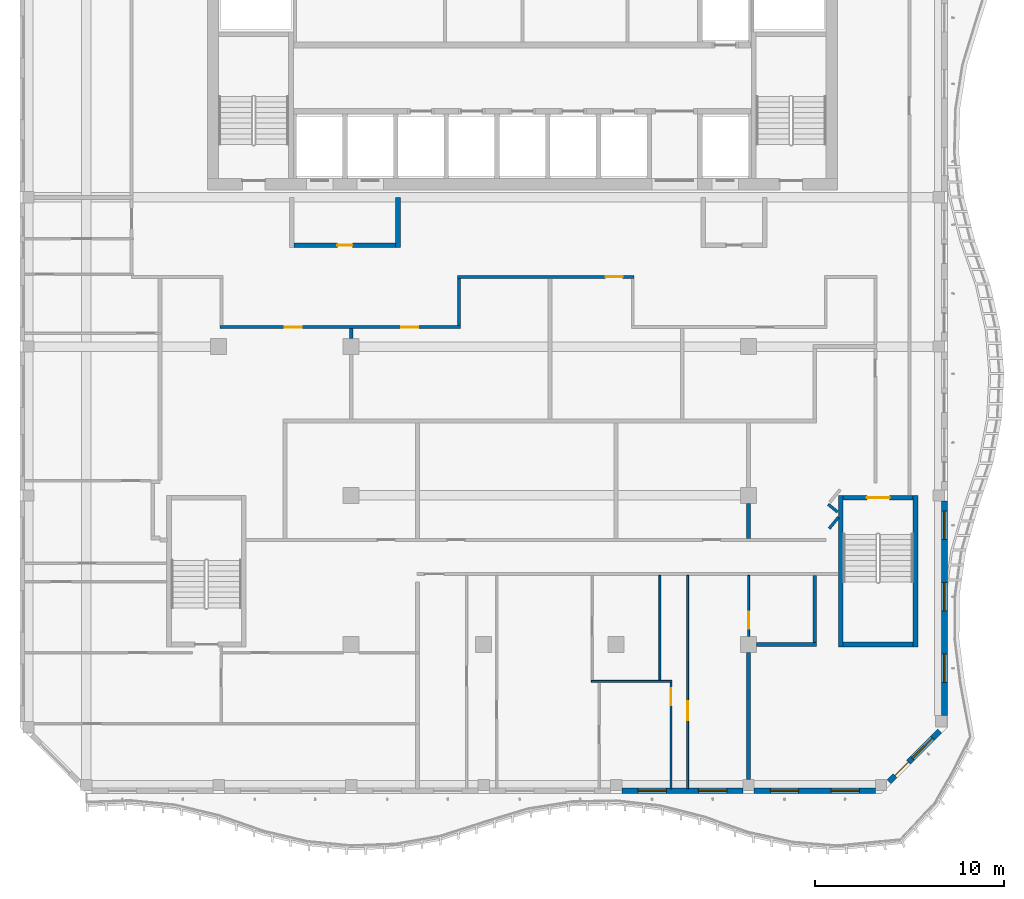
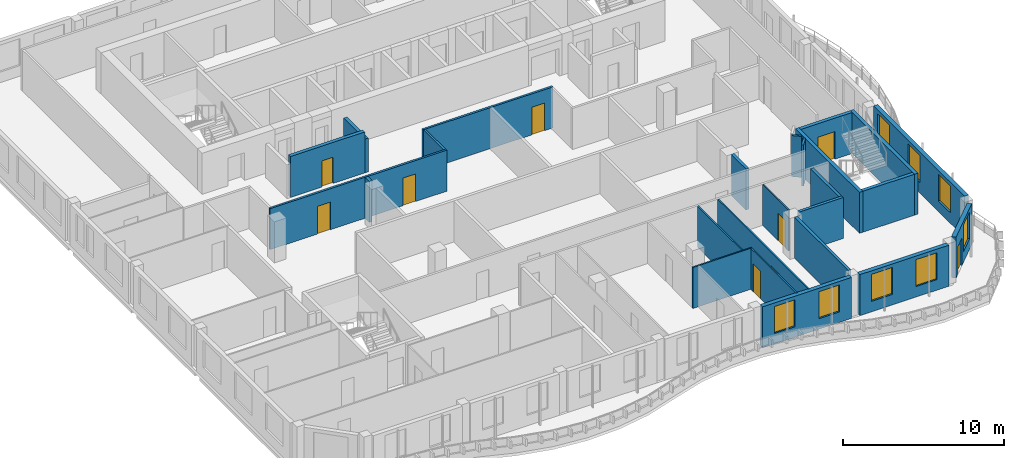
# One storey, part 4 of 18: 25 walls, 9 doors, 8 windows, 17 openings.
"""IFC4 building model written with IfcOpenShell, lengths in metres."""

import ifcopenshell
import ifcopenshell.guid

model = None  # the IFC model being written
_history = None  # IfcOwnerHistory: only IFC2X3 demands one
_inside = {}  # id of a spatial element -> (the spatial element, [elements in it])
_under = {}  # id of a project, library or spatial element -> (it, [spatial elements below it])
_declared = {}  # id of a project -> (the project, [libraries it declares])
_typed = {}  # id of a type object -> (the type object, [elements of that type])
_made_of = {}  # id of a material, layer set ... -> (it, [elements and type objects made of it])


def new_model(schema):
    """Start an empty IFC model of exactly this schema.

    Asked for "IFC4X3", IfcOpenShell would pick the latest addendum, in which some entities
    have other attributes; the version numbers below select the first issue.
    IFC2X3 requires an IfcOwnerHistory on every rooted entity: one is made here for all.
    """
    global model, _history
    if schema == "IFC4X3":
        model = ifcopenshell.file(schema_version=(4, 3, 0, 0))
    else:
        model = ifcopenshell.file(schema=schema)
    _inside.clear()
    _under.clear()
    _declared.clear()
    _typed.clear()
    _made_of.clear()
    _history = None
    if model.schema == "IFC2X3":
        org = make("IfcOrganization", Name="unknown")
        user = make(
            "IfcPersonAndOrganization",
            ThePerson=make("IfcPerson", FamilyName="unknown"),
            TheOrganization=org,
        )
        app = make(
            "IfcApplication",
            ApplicationDeveloper=org,
            Version="unknown",
            ApplicationFullName="unknown",
            ApplicationIdentifier="unknown",
        )
        _history = make(
            "IfcOwnerHistory",
            OwningUser=user,
            OwningApplication=app,
            ChangeAction="ADDED",
            CreationDate=0,
        )
    return model


def make(cls, **values):
    """One entity of the class cls with the attributes given. An attribute that is None is left unset."""
    return model.create_entity(
        cls, **{name: value for name, value in values.items() if value is not None}
    )


def rooted(cls, **values):
    """An entity with a GlobalId (a new one), such as an element, a storey or a relation."""
    return make(cls, GlobalId=ifcopenshell.guid.new(), OwnerHistory=_history, **values)


def si_unit(unit_type, name, prefix=None):
    """IfcSIUnit, for example si_unit("LENGTHUNIT", "METRE", prefix="MILLI")."""
    return make("IfcSIUnit", UnitType=unit_type, Prefix=prefix, Name=name)


def assignment(units):
    """IfcUnitAssignment: the units of a project."""
    return None if units is None else make("IfcUnitAssignment", Units=units)


def point(xyz):
    """IfcCartesianPoint."""
    return None if xyz is None else make("IfcCartesianPoint", Coordinates=xyz)


def direction(xyz):
    """IfcDirection."""
    return None if xyz is None else make("IfcDirection", DirectionRatios=xyz)


def frame(location, z_axis=None, x_axis=None):
    """IfcAxis2Placement3D, a coordinate frame: its origin and axes. An axis left out is left unset."""
    return make(
        "IfcAxis2Placement3D",
        Location=point(location),
        Axis=direction(z_axis),
        RefDirection=direction(x_axis),
    )


def frame_2d(location, x_axis=None):
    """IfcAxis2Placement2D, a coordinate frame in the plane: its origin and x axis."""
    return make(
        "IfcAxis2Placement2D", Location=point(location), RefDirection=direction(x_axis)
    )


def origin():
    """The frame at (0, 0, 0) with its axes left unset."""
    return frame((0.0, 0.0, 0.0))


def place(relative_to, where):
    """IfcLocalPlacement: puts the frame where relative to a parent placement (None: the world)."""
    return make(
        "IfcLocalPlacement", PlacementRelTo=relative_to, RelativePlacement=where
    )


def context(
    kind, dimensions, precision=None, world=None, true_north=None, identifier=None
):
    """IfcGeometricRepresentationContext, for example the 3D "Model" context."""
    return make(
        "IfcGeometricRepresentationContext",
        ContextIdentifier=identifier,
        ContextType=kind,
        CoordinateSpaceDimension=dimensions,
        Precision=precision,
        WorldCoordinateSystem=world,
        TrueNorth=true_north,
    )


def subcontext(parent, identifier, kind, view, scale=None):
    """IfcGeometricRepresentationSubContext, for example "Body" below "Model"."""
    return make(
        "IfcGeometricRepresentationSubContext",
        ContextIdentifier=identifier,
        ContextType=kind,
        ParentContext=parent,
        TargetScale=scale,
        TargetView=view,
    )


def project(units=None, contexts=None):
    """IfcProject with its units and contexts."""
    return rooted(
        "IfcProject",
        Name="project",
        RepresentationContexts=contexts,
        UnitsInContext=assignment(units),
    )


def spatial(cls, under=None, at=None, **own):
    """A site, building, storey or space (cls), placed at a placement, below another one or the project."""
    s = rooted(cls, ObjectPlacement=at, **own)
    if under is not None:
        _under.setdefault(under.id(), (under, []))[1].append(s)
    return s


def profile(cls, at=None, kind="AREA", **sizes):
    """A parametric profile (cls). Its sizes go by their IFC names, for example OverallWidth=200.0."""
    return make(cls, ProfileType=kind, Position=at, **sizes)


def rectangle(**sizes):
    """IfcRectangleProfileDef."""
    return profile("IfcRectangleProfileDef", **sizes)


def extrude(swept, where, along, depth):
    """IfcExtrudedAreaSolid: the profile swept, set in the frame where, extruded along a direction by depth."""
    return make(
        "IfcExtrudedAreaSolid",
        SweptArea=swept,
        Position=where,
        ExtrudedDirection=direction(along),
        Depth=depth,
    )


def shape(context_of_items, identifier, shape_type, items):
    """IfcShapeRepresentation: the items that make up one representation, for example the "Body"."""
    return make(
        "IfcShapeRepresentation",
        ContextOfItems=context_of_items,
        RepresentationIdentifier=identifier,
        RepresentationType=shape_type,
        Items=items,
    )


def source(mapping_origin, context_of_items, identifier, shape_type, items):
    """IfcRepresentationMap: a shape defined once, which mapped items show again and again."""
    return make(
        "IfcRepresentationMap",
        MappingOrigin=mapping_origin,
        MappedRepresentation=shape(context_of_items, identifier, shape_type, items),
    )


def transform(
    local_origin,
    x_axis=None,
    y_axis=None,
    z_axis=None,
    scale=None,
    scale2=None,
    scale3=None,
    uniform=True,
):
    """IfcCartesianTransformationOperator3D, or its non-uniform kind. x_axis, y_axis, z_axis: its Axis1, 2, 3."""
    if uniform:
        return make(
            "IfcCartesianTransformationOperator3D",
            Axis1=direction(x_axis),
            Axis2=direction(y_axis),
            LocalOrigin=point(local_origin),
            Scale=scale,
            Axis3=direction(z_axis),
        )
    return make(
        "IfcCartesianTransformationOperator3DnonUniform",
        Axis1=direction(x_axis),
        Axis2=direction(y_axis),
        LocalOrigin=point(local_origin),
        Scale=scale,
        Axis3=direction(z_axis),
        Scale2=scale2,
        Scale3=scale3,
    )


def mapped(mapping_source, mapping_target):
    """IfcMappedItem: shows the shape of a source again, moved by a transform."""
    return make(
        "IfcMappedItem", MappingSource=mapping_source, MappingTarget=mapping_target
    )


def material(Name=None, Category=None):
    """IfcMaterial."""
    return make("IfcMaterial", Name=Name, Category=Category)


def layer(
    of_material, thickness, ventilated=None, Name=None, Category=None, Priority=None
):
    """IfcMaterialLayer: one layer of a wall or slab, of a material (None: an air gap)."""
    return make(
        "IfcMaterialLayer",
        Material=of_material,
        LayerThickness=thickness,
        IsVentilated=ventilated,
        Name=Name,
        Category=Category,
        Priority=Priority,
    )


def layer_set(layers, Name=None):
    """IfcMaterialLayerSet."""
    return make("IfcMaterialLayerSet", MaterialLayers=layers, LayerSetName=Name)


def made_of(thing, what):
    """Note that an element or type object is made of a material, layer set ...; save() writes the relation."""
    if what is not None:
        _made_of.setdefault(what.id(), (what, []))[1].append(thing)
    return thing


def type_object(cls, material=None, **own):
    """A type object (cls), such as IfcWallType, which elements share."""
    return made_of(rooted(cls, **own), material)


def element(
    cls,
    number,
    at=None,
    inside=None,
    cuts=None,
    type_object=None,
    material=None,
    context=None,
    identifier="Body",
    shape_type=None,
    held_by="IfcProductDefinitionShape",
    body=None,
    shapes=None,
    **own,
):
    """One element of the class cls, such as IfcWall. Its Tag is "e" and its number.

    at: its placement. inside: the storey or other place that contains it. cuts: it is an
    opening in that element (IfcRelVoidsElement). A single representation is given by context,
    identifier, shape_type and body (its items); several are given by shapes. held_by: the class
    of the entity that holds the representations. save() writes the other relations.
    """
    e = rooted(cls, Tag="e%d" % number, ObjectPlacement=at, **own)
    if body is not None:
        shapes = [shape(context, identifier, shape_type, body)]
    if shapes is not None:
        e.Representation = make(held_by, Representations=shapes)
    if inside is not None:
        _inside.setdefault(inside.id(), (inside, []))[1].append(e)
    if cuts is not None:
        rooted(
            "IfcRelVoidsElement", RelatingBuildingElement=cuts, RelatedOpeningElement=e
        )
    if type_object is not None:
        _typed.setdefault(type_object.id(), (type_object, []))[1].append(e)
    return made_of(e, material)


def fill(opening, filler):
    """IfcRelFillsElement: the door or window that sits in an opening."""
    return rooted(
        "IfcRelFillsElement",
        RelatingOpeningElement=opening,
        RelatedBuildingElement=filler,
    )


def aggregate(whole, parts):
    """IfcRelAggregates: a whole, such as a stair, and the parts it consists of."""
    return rooted("IfcRelAggregates", RelatingObject=whole, RelatedObjects=parts)


def save(model, path):
    """Write the relations noted so far, then the file.

    IfcRelAggregates (storeys below a building ...), IfcRelContainedInSpatialStructure (elements
    in a storey), IfcRelDefinesByType, IfcRelAssociatesMaterial and IfcRelDeclares: one each for
    every whole, place, type object, material and project.
    """
    for whole, parts in _under.values():
        aggregate(whole, parts)
    for where, things in _inside.values():
        rooted(
            "IfcRelContainedInSpatialStructure",
            RelatedElements=things,
            RelatingStructure=where,
        )
    for kind, things in _typed.values():
        rooted("IfcRelDefinesByType", RelatedObjects=things, RelatingType=kind)
    for what, things in _made_of.values():
        rooted("IfcRelAssociatesMaterial", RelatedObjects=things, RelatingMaterial=what)
    for by, libraries in _declared.values():
        rooted("IfcRelDeclares", RelatingContext=by, RelatedDefinitions=libraries)
    model.write(path)


model = new_model("IFC4")

# Units and contexts
model_context = context("Model", 3, precision=1e-05, world=origin(), true_north=direction((0.0, 1.0)))
body_context = subcontext(model_context, "Body", "Model", "MODEL_VIEW")
ifc_project = project(units=[si_unit("LENGTHUNIT", "METRE"), si_unit("AREAUNIT", "SQUARE_METRE"), si_unit("VOLUMEUNIT", "CUBIC_METRE"), si_unit("PLANEANGLEUNIT", "RADIAN"), si_unit("MASSUNIT", "GRAM", prefix="KILO")], contexts=[model_context])

# Site, building, storey
site_placement = place(None, origin())
site = spatial("IfcSite", under=ifc_project, at=site_placement, CompositionType="ELEMENT")
building_placement = place(site_placement, origin())
building = spatial("IfcBuilding", under=site, at=building_placement, Name="Kilnfold Tower and Market Hall", CompositionType="ELEMENT")
storey_placement = place(building_placement, frame((0.0, 0.0, 312.0)))
storey = spatial("IfcBuildingStorey", under=building, at=storey_placement, Name="L78", CompositionType="ELEMENT", Elevation=312.0)

# Wall, openings, doors
ifc_material_1 = material(Name="Gypsum board on steel studs", Category="steel")
ifc_layer_1 = layer(ifc_material_1, 0.14990234375)
ifc_layer_set_1 = layer_set([ifc_layer_1], Name="Gypsum board on steel studs")
wall_type_1 = type_object("IfcWallType", Name="WALL CORRIDOR 150", PredefinedType="PARTITIONING", material=ifc_layer_set_1)
wall_1_placement = place(storey_placement, frame((-14.93505859375, 1.14990234375, 0.0), z_axis=(0.0, 0.0, 1.0), x_axis=(1.0, 0.0, 0.0)))
wall_1 = element("IfcWall", 1, at=wall_1_placement, inside=storey, type_object=wall_type_1, Name="Partition LY46.10", PredefinedType="PARTITIONING", context=body_context, shape_type="SweptSolid", body=[
    extrude(rectangle(XDim=12.7099609375, YDim=0.14990234375, at=frame_2d((6.35498046875, 0.0))), origin(), (0.0, 0.0, 1.0), 3.1201171875),
])
opening_1_placement = place(wall_1_placement, frame((3.426025390625, 0.0, 0.0)))
opening_1 = element("IfcOpeningElement", 2, at=opening_1_placement, cuts=wall_1, Name="Opening D2", PredefinedType="OPENING", context=body_context, shape_type="SweptSolid", body=[
    extrude(rectangle(XDim=0.89990234375, YDim=2.10009765625, at=frame_2d((0.449951171875, 1.050048828125))), frame((0.0, 0.0849609375, 0.0), z_axis=(0.0, -1.0, 0.0), x_axis=(1.0, 0.0, 0.0)), (0.0, 0.0, 1.0), 0.169921875),
])
opening_2_placement = place(wall_1_placement, frame((9.571044921875, 0.0, 0.0)))
opening_2 = element("IfcOpeningElement", 3, at=opening_2_placement, cuts=wall_1, Name="Opening D2", PredefinedType="OPENING", context=body_context, shape_type="SweptSolid", body=[
    extrude(rectangle(XDim=0.89990234375, YDim=2.10009765625, at=frame_2d((0.449951171875, 1.050048828125))), frame((0.0, 0.0849609375, 0.0), z_axis=(0.0, -1.0, 0.0), x_axis=(1.0, 0.0, 0.0)), (0.0, 0.0, 1.0), 0.169921875),
])
ifc_material_2 = material(Name="Timber veneer door leaf in steel frame", Category="steel")
door_type_1 = type_object("IfcDoorType", Name="DOOR ROOM 900 X2100", OperationType="NOTDEFINED", PredefinedType="DOOR", material=ifc_material_2)
door_1_placement = place(opening_1_placement, origin())
door_1 = element("IfcDoor", 4, at=door_1_placement, inside=storey, type_object=door_type_1, Name="Door D2", OperationType="SINGLE_SWING_LEFT", OverallHeight=2.10009765625, OverallWidth=0.89990234375, PredefinedType="DOOR", context=body_context, shape_type="SweptSolid", body=[
    extrude(rectangle(XDim=0.89990234375, YDim=2.10009765625, at=frame_2d((0.449951171875, 1.050048828125))), frame((0.0, 0.02490234375, 0.0), z_axis=(0.0, -1.0, 0.0), x_axis=(1.0, 0.0, 0.0)), (0.0, 0.0, 1.0), 0.050048828125),
])
fill(opening_1, door_1)
door_2_placement = place(opening_2_placement, origin())
door_2 = element("IfcDoor", 5, at=door_2_placement, inside=storey, type_object=door_type_1, Name="Door D2", OperationType="SINGLE_SWING_LEFT", OverallHeight=2.10009765625, OverallWidth=0.89990234375, PredefinedType="DOOR", context=body_context, shape_type="SweptSolid", body=[
    extrude(rectangle(XDim=0.89990234375, YDim=2.10009765625, at=frame_2d((0.449951171875, 1.050048828125))), frame((0.0, 0.02490234375, 0.0), z_axis=(0.0, -1.0, 0.0), x_axis=(1.0, 0.0, 0.0)), (0.0, 0.0, 1.0), 0.050048828125),
])
fill(opening_2, door_2)

# Wall, opening, door
wall_2_placement = place(storey_placement, frame((-2.375, 3.800048828125, 0.0), z_axis=(0.0, 0.0, 1.0), x_axis=(1.0, 0.0, 0.0)))
wall_2 = element("IfcWall", 6, at=wall_2_placement, inside=storey, type_object=wall_type_1, Name="Partition LY46.13", PredefinedType="PARTITIONING", context=body_context, shape_type="SweptSolid", body=[
    extrude(rectangle(XDim=9.330078125, YDim=0.14990234375, at=frame_2d((4.6650390625, 0.0))), origin(), (0.0, 0.0, 1.0), 3.1201171875),
])
opening_3_placement = place(wall_2_placement, frame((7.822021484375, 0.0, 0.0)))
opening_3 = element("IfcOpeningElement", 7, at=opening_3_placement, cuts=wall_2, Name="Opening D2", PredefinedType="OPENING", context=body_context, shape_type="SweptSolid", body=[
    extrude(rectangle(XDim=0.89990234375, YDim=2.10009765625, at=frame_2d((0.449951171875, 1.050048828125))), frame((0.0, 0.0849609375, 0.0), z_axis=(0.0, -1.0, 0.0), x_axis=(1.0, 0.0, 0.0)), (0.0, 0.0, 1.0), 0.169921875),
])
door_3_placement = place(opening_3_placement, origin())
door_3 = element("IfcDoor", 8, at=door_3_placement, inside=storey, type_object=door_type_1, Name="Door D2", OperationType="SINGLE_SWING_RIGHT", OverallHeight=2.10009765625, OverallWidth=0.89990234375, PredefinedType="DOOR", context=body_context, shape_type="SweptSolid", body=[
    extrude(rectangle(XDim=0.89990234375, YDim=2.10009765625, at=frame_2d((0.449951171875, 1.050048828125))), frame((0.0, 0.02490234375, 0.0), z_axis=(0.0, -1.0, 0.0), x_axis=(1.0, 0.0, 0.0)), (0.0, 0.0, 1.0), 0.050048828125),
])
fill(opening_3, door_3)

# Walls
wall_3_placement = place(storey_placement, frame((-2.300048828125, 1.22509765625, 0.0), z_axis=(0.0, 0.0, 1.0), x_axis=(0.0, 1.0, 0.0)))
element("IfcWall", 9, at=wall_3_placement, inside=storey, type_object=wall_type_1, Name="Partition LY46.14", PredefinedType="PARTITIONING", context=body_context, shape_type="SweptSolid", body=[
    extrude(rectangle(XDim=2.5, YDim=0.14990234375, at=frame_2d((1.25, 0.0))), origin(), (0.0, 0.0, 1.0), 3.1201171875),
])
wall_4_placement = place(storey_placement, frame((17.748046875, -8.902099609375, 0.0), z_axis=(0.0, 0.0, 1.0), x_axis=(-0.630342797145, -0.776316918589, 0.0)))
element("IfcWall", 10, at=wall_4_placement, inside=storey, type_object=wall_type_1, Name="Partition LY46.17", PredefinedType="PARTITIONING", context=body_context, shape_type="SweptSolid", body=[
    extrude(rectangle(XDim=0.772705078125, YDim=0.14990234375, at=frame_2d((0.38623046875, 0.0))), origin(), (0.0, 0.0, 1.0), 3.1201171875),
])
wall_5_placement = place(storey_placement, frame((17.2060546875, -8.218017578125, 0.0), z_axis=(0.0, 0.0, 1.0), x_axis=(0.776102288291, -0.630607039376, 0.0)))
element("IfcWall", 11, at=wall_5_placement, inside=storey, type_object=wall_type_1, Name="Partition LY46.18", PredefinedType="PARTITIONING", context=body_context, shape_type="SweptSolid", body=[
    extrude(rectangle(XDim=0.6376953125, YDim=0.14990234375, at=frame_2d((0.31884765625, 0.0))), origin(), (0.0, 0.0, 1.0), 3.1201171875),
])
ifc_material_3 = material(Name="Gypsum board on steel studs", Category="steel")
ifc_layer_2 = layer(ifc_material_3, 0.10009765625)
ifc_layer_set_2 = layer_set([ifc_layer_2], Name="Gypsum board on steel studs")
wall_type_2 = type_object("IfcWallType", Name="WALL PARTITION 100", PredefinedType="PARTITIONING", material=ifc_layer_set_2)
wall_6_placement = place(storey_placement, frame((4.68994140625, -17.575927734375, 0.0), z_axis=(0.0, 0.0, 1.0), x_axis=(1.0, 0.0, 0.0)))
element("IfcWall", 12, at=wall_6_placement, inside=storey, type_object=wall_type_2, Name="Partition LY46.50", PredefinedType="PARTITIONING", context=body_context, shape_type="SweptSolid", body=[
    extrude(rectangle(XDim=4.260009765625, YDim=0.10009765625, at=frame_2d((2.1298828125, 0.0))), origin(), (0.0, 0.0, 1.0), 3.1201171875),
])

# Wall, opening, door
wall_7_placement = place(storey_placement, frame((8.89990234375, -23.25, 0.0), z_axis=(0.0, 0.0, 1.0), x_axis=(0.0, 1.0, 0.0)))
wall_7 = element("IfcWall", 13, at=wall_7_placement, inside=storey, type_object=wall_type_2, Name="Partition LY46.51", PredefinedType="PARTITIONING", context=body_context, shape_type="SweptSolid", body=[
    extrude(rectangle(XDim=5.6240234375, YDim=0.10009765625, at=frame_2d((2.81201171875, 0.0))), origin(), (0.0, 0.0, 1.0), 3.1201171875),
])
opening_4_placement = place(wall_7_placement, frame((4.423095703125, 0.0, 0.0)))
opening_4 = element("IfcOpeningElement", 14, at=opening_4_placement, cuts=wall_7, Name="Opening D2", PredefinedType="OPENING", context=body_context, shape_type="SweptSolid", body=[
    extrude(rectangle(XDim=0.89990234375, YDim=2.10009765625, at=frame_2d((0.449951171875, 1.050048828125))), frame((0.0, 0.06005859375, 0.0), z_axis=(0.0, -1.0, 0.0), x_axis=(1.0, 0.0, 0.0)), (0.0, 0.0, 1.0), 0.1201171875),
])
door_4_placement = place(opening_4_placement, origin())
door_4 = element("IfcDoor", 15, at=door_4_placement, inside=storey, type_object=door_type_1, Name="Door D2", OperationType="SINGLE_SWING_LEFT", OverallHeight=2.10009765625, OverallWidth=0.89990234375, PredefinedType="DOOR", context=body_context, shape_type="SweptSolid", body=[
    extrude(rectangle(XDim=0.89990234375, YDim=2.10009765625, at=frame_2d((0.449951171875, 1.050048828125))), frame((0.0, 0.02490234375, 0.0), z_axis=(0.0, -1.0, 0.0), x_axis=(1.0, 0.0, 0.0)), (0.0, 0.0, 1.0), 0.050048828125),
])
fill(opening_4, door_4)

# Wall
wall_8_placement = place(storey_placement, frame((8.31005859375, -17.52587890625, 0.0), z_axis=(0.0, 0.0, 1.0), x_axis=(0.0, 1.0, 0.0)))
element("IfcWall", 16, at=wall_8_placement, inside=storey, type_object=wall_type_2, Name="Partition LY46.52", PredefinedType="PARTITIONING", context=body_context, shape_type="SweptSolid", body=[
    extrude(rectangle(XDim=5.548828125, YDim=0.10009765625, at=frame_2d((2.7744140625, 0.0))), origin(), (0.0, 0.0, 1.0), 3.1201171875),
])

# Wall, opening, door
wall_9_placement = place(storey_placement, frame((9.780029296875, -23.25, 0.0), z_axis=(0.0, 0.0, 1.0), x_axis=(0.0, 1.0, 0.0)))
wall_9 = element("IfcWall", 17, at=wall_9_placement, inside=storey, type_object=wall_type_2, Name="Partition LY46.53", PredefinedType="PARTITIONING", context=body_context, shape_type="SweptSolid", body=[
    extrude(rectangle(XDim=11.27294921875, YDim=0.10009765625, at=frame_2d((5.636474609375, 0.0))), origin(), (0.0, 0.0, 1.0), 3.1201171875),
])
opening_5_placement = place(wall_9_placement, frame((3.625, 0.0, 0.0)))
opening_5 = element("IfcOpeningElement", 18, at=opening_5_placement, cuts=wall_9, Name="Opening D1", PredefinedType="OPENING", context=body_context, shape_type="SweptSolid", body=[
    extrude(rectangle(XDim=1.0, YDim=2.10009765625, at=frame_2d((0.5, 1.050048828125))), frame((0.0, 0.06005859375, 0.0), z_axis=(0.0, -1.0, 0.0), x_axis=(1.0, 0.0, 0.0)), (0.0, 0.0, 1.0), 0.1201171875),
])
ifc_material_4 = material(Name="Timber veneer door leaf in steel frame", Category="steel")
door_type_2 = type_object("IfcDoorType", Name="DOOR ENTRY 1000 X2100", OperationType="NOTDEFINED", PredefinedType="DOOR", material=ifc_material_4)
door_5_placement = place(opening_5_placement, origin())
door_5 = element("IfcDoor", 19, at=door_5_placement, inside=storey, type_object=door_type_2, Name="Door D1", OperationType="SINGLE_SWING_LEFT", OverallHeight=2.10009765625, OverallWidth=1.0, PredefinedType="DOOR", context=body_context, shape_type="SweptSolid", body=[
    extrude(rectangle(XDim=1.0, YDim=2.10009765625, at=frame_2d((0.5, 1.050048828125))), frame((0.0, 0.02490234375, 0.0), z_axis=(0.0, -1.0, 0.0), x_axis=(1.0, 0.0, 0.0)), (0.0, 0.0, 1.0), 0.050048828125),
])
fill(opening_5, door_5)

wall_10_placement = place(storey_placement, frame((13.0, -15.199951171875, 0.0), z_axis=(0.0, 0.0, 1.0), x_axis=(0.0, 1.0, 0.0)))
wall_10 = element("IfcWall", 20, at=wall_10_placement, inside=storey, type_object=wall_type_2, Name="Partition LY46.54", PredefinedType="PARTITIONING", context=body_context, shape_type="SweptSolid", body=[
    extrude(rectangle(XDim=3.222900390625, YDim=0.10009765625, at=frame_2d((1.611328125, 0.0))), origin(), (0.0, 0.0, 1.0), 3.1201171875),
])
opening_6_placement = place(wall_10_placement, frame((0.402099609375, 0.0, 0.0)))
opening_6 = element("IfcOpeningElement", 21, at=opening_6_placement, cuts=wall_10, Name="Opening D2", PredefinedType="OPENING", context=body_context, shape_type="SweptSolid", body=[
    extrude(rectangle(XDim=0.89990234375, YDim=2.10009765625, at=frame_2d((0.449951171875, 1.050048828125))), frame((0.0, 0.06005859375, 0.0), z_axis=(0.0, -1.0, 0.0), x_axis=(1.0, 0.0, 0.0)), (0.0, 0.0, 1.0), 0.1201171875),
])
door_6_placement = place(opening_6_placement, origin())
door_6 = element("IfcDoor", 22, at=door_6_placement, inside=storey, type_object=door_type_1, Name="Door D2", OperationType="SINGLE_SWING_LEFT", OverallHeight=2.10009765625, OverallWidth=0.89990234375, PredefinedType="DOOR", context=body_context, shape_type="SweptSolid", body=[
    extrude(rectangle(XDim=0.89990234375, YDim=2.10009765625, at=frame_2d((0.449951171875, 1.050048828125))), frame((0.0, 0.02490234375, 0.0), z_axis=(0.0, -1.0, 0.0), x_axis=(1.0, 0.0, 0.0)), (0.0, 0.0, 1.0), 0.050048828125),
])
fill(opening_6, door_6)

# Walls
ifc_material_5 = material(Name="Gypsum board on steel studs", Category="steel")
ifc_layer_3 = layer(ifc_material_5, 0.199951171875)
ifc_layer_set_3 = layer_set([ifc_layer_3], Name="Gypsum board on steel studs")
wall_type_3 = type_object("IfcWallType", Name="WALL PARTY 200", PredefinedType="PARTITIONING", material=ifc_layer_set_3)
wall_11_placement = place(storey_placement, frame((13.0, -22.75, 0.0), z_axis=(0.0, 0.0, 1.0), x_axis=(0.0, 1.0, 0.0)))
element("IfcWall", 23, at=wall_11_placement, inside=storey, type_object=wall_type_3, Name="Partition LY46.55", PredefinedType="PARTITIONING", context=body_context, shape_type="SweptSolid", body=[
    extrude(rectangle(XDim=6.699951171875, YDim=0.199951171875, at=frame_2d((3.35009765625, 0.0))), origin(), (0.0, 0.0, 1.0), 3.1201171875),
])
wall_12_placement = place(storey_placement, frame((16.5, -15.52490234375, 0.0), z_axis=(0.0, 0.0, 1.0), x_axis=(0.0, 1.0, 0.0)))
element("IfcWall", 24, at=wall_12_placement, inside=storey, type_object=wall_type_3, Name="Partition LY46.56", PredefinedType="PARTITIONING", context=body_context, shape_type="SweptSolid", body=[
    extrude(rectangle(XDim=3.5478515625, YDim=0.199951171875, at=frame_2d((1.77392578125, 0.0))), origin(), (0.0, 0.0, 1.0), 3.1201171875),
])
wall_13_placement = place(storey_placement, frame((13.425048828125, -15.625, 0.0), z_axis=(0.0, 0.0, 1.0), x_axis=(1.0, 0.0, 0.0)))
element("IfcWall", 25, at=wall_13_placement, inside=storey, type_object=wall_type_3, Name="Partition LY46.57", PredefinedType="PARTITIONING", context=body_context, shape_type="SweptSolid", body=[
    extrude(rectangle(XDim=3.175048828125, YDim=0.199951171875, at=frame_2d((1.58740234375, 0.0))), origin(), (0.0, 0.0, 1.0), 3.1201171875),
])
wall_14_placement = place(storey_placement, frame((-8.0, 0.550048828125, 0.0), z_axis=(0.0, 0.0, 1.0), x_axis=(0.0, 1.0, 0.0)))
element("IfcWall", 26, at=wall_14_placement, inside=storey, type_object=wall_type_3, Name="Partition LY46.60", PredefinedType="PARTITIONING", context=body_context, shape_type="SweptSolid", body=[
    extrude(rectangle(XDim=0.52294921875, YDim=0.199951171875, at=frame_2d((0.261474609375, 0.0))), origin(), (0.0, 0.0, 1.0), 3.1201171875),
])
wall_15_placement = place(storey_placement, frame((13.0, -10.02294921875, 0.0), z_axis=(0.0, 0.0, 1.0), x_axis=(0.0, 1.0, 0.0)))
element("IfcWall", 27, at=wall_15_placement, inside=storey, type_object=wall_type_3, Name="Partition LY46.69", PredefinedType="PARTITIONING", context=body_context, shape_type="SweptSolid", body=[
    extrude(rectangle(XDim=1.847900390625, YDim=0.199951171875, at=frame_2d((0.923828125, 0.0))), origin(), (0.0, 0.0, 1.0), 3.1201171875),
])
ifc_material_6 = material(Name="Concrete C50", Category="concrete")
ifc_layer_4 = layer(ifc_material_6, 0.25)
ifc_layer_set_4 = layer_set([ifc_layer_4], Name="Concrete C50")
wall_type_4 = type_object("IfcWallType", Name="CORE WALL 250 C50", PredefinedType="SHEAR", material=ifc_layer_set_4)
shared_shape_1 = source(origin(), body_context, "Body", "SweptSolid", [
    extrude(rectangle(XDim=3.699951171875, YDim=0.25, at=frame_2d((1.85009765625, 0.0))), origin(), (0.0, 0.0, 1.0), 3.1201171875),
])
wall_16_placement = place(storey_placement, frame((18.0, -15.625, 0.0), z_axis=(0.0, 0.0, 1.0), x_axis=(1.0, 0.0, 0.0)))
element("IfcWall", 28, at=wall_16_placement, inside=storey, type_object=wall_type_4, Name="Stair enclosure ST4", PredefinedType="SHEAR", context=body_context, shape_type="MappedRepresentation", body=[
    mapped(shared_shape_1, transform((0.0, 0.0, 0.0))),
])

# Wall, opening, door
wall_17_placement = place(storey_placement, frame((18.0, -7.875, 0.0), z_axis=(0.0, 0.0, 1.0), x_axis=(1.0, 0.0, 0.0)))
wall_17 = element("IfcWall", 29, at=wall_17_placement, inside=storey, type_object=wall_type_4, Name="Stair enclosure ST4", PredefinedType="SHEAR", context=body_context, shape_type="MappedRepresentation", body=[
    mapped(shared_shape_1, transform((0.0, 0.0, 0.0))),
])
opening_7_placement = place(wall_17_placement, frame((1.25, 0.0, 0.0)))
opening_7 = element("IfcOpeningElement", 30, at=opening_7_placement, cuts=wall_17, Name="Opening SD1", PredefinedType="OPENING", context=body_context, shape_type="SweptSolid", body=[
    extrude(rectangle(XDim=1.199951171875, YDim=2.10009765625, at=frame_2d((0.60009765625, 1.050048828125))), frame((0.0, 0.135009765625, 0.0), z_axis=(0.0, -1.0, 0.0), x_axis=(1.0, 0.0, 0.0)), (0.0, 0.0, 1.0), 0.27001953125),
])
ifc_material_7 = material(Name="Steel door set with fire-resisting leaf", Category="steel")
door_type_3 = type_object("IfcDoorType", Name="STAIR FLOOR DOOR 1200X2100", OperationType="NOTDEFINED", PredefinedType="DOOR", material=ifc_material_7)
door_7_placement = place(opening_7_placement, origin())
door_7 = element("IfcDoor", 31, at=door_7_placement, inside=storey, type_object=door_type_3, Name="Exit stair ST4 door", OperationType="DOUBLE_DOOR_SINGLE_SWING", OverallHeight=2.10009765625, OverallWidth=1.199951171875, PredefinedType="DOOR", context=body_context, shape_type="SweptSolid", body=[
    extrude(rectangle(XDim=1.199951171875, YDim=2.10009765625, at=frame_2d((0.60009765625, 1.050048828125))), frame((0.0, 0.02490234375, 0.0), z_axis=(0.0, -1.0, 0.0), x_axis=(1.0, 0.0, 0.0)), (0.0, 0.0, 1.0), 0.050048828125),
])
fill(opening_7, door_7)

# Walls
shared_shape_2 = source(origin(), body_context, "Body", "SweptSolid", [
    extrude(rectangle(XDim=8.0, YDim=0.25, at=frame_2d((4.0, 0.0))), origin(), (0.0, 0.0, 1.0), 3.1201171875),
])
for number, where, z_axis, x_axis, name in (
    (32, (17.875, -15.75, 0.0), (0.0, 0.0, 1.0), (0.0, 1.0, 0.0), "Stair enclosure ST4"),
    (33, (21.824951171875, -15.75, 0.0), (0.0, 0.0, 1.0), (0.0, 1.0, 0.0), "Stair enclosure ST4"),
):
    element("IfcWall", number, at=place(storey_placement, frame(where, z_axis=z_axis, x_axis=x_axis)), inside=storey, type_object=wall_type_4, Name=name, PredefinedType="SHEAR", context=body_context, shape_type="MappedRepresentation", body=[
        mapped(shared_shape_2, transform((0.0, 0.0, 0.0))),
    ])

# Wall, openings, windows
ifc_material_8 = material(Name="Precast concrete C50/60", Category="concrete")
ifc_layer_5 = layer(ifc_material_8, 0.300048828125)
ifc_layer_set_5 = layer_set([ifc_layer_5], Name="Precast concrete C50/60")
wall_type_5 = type_object("IfcWallType", Name="PRECAST WALL 300", PredefinedType="SOLIDWALL", material=ifc_layer_set_5)
shared_shape_3 = source(origin(), body_context, "Body", "SweptSolid", [
    extrude(rectangle(XDim=6.39990234375, YDim=0.300048828125, at=frame_2d((3.199951171875, 0.0))), origin(), (0.0, 0.0, 1.0), 3.1201171875),
])
wall_18_placement = place(storey_placement, frame((6.300048828125, -23.35009765625, 0.0), z_axis=(0.0, 0.0, 1.0), x_axis=(1.0, 0.0, 0.0)))
wall_18 = element("IfcWall", 34, at=wall_18_placement, inside=storey, type_object=wall_type_5, Name="External wall L78 S", PredefinedType="SOLIDWALL", context=body_context, shape_type="MappedRepresentation", body=[
    mapped(shared_shape_3, transform((0.0, 0.0, 0.0))),
])
opening_8_placement = place(wall_18_placement, frame((0.85009765625, 0.0, 0.800048828125)))
opening_8 = element("IfcOpeningElement", 35, at=opening_8_placement, cuts=wall_18, Name="Opening W5", PredefinedType="OPENING", context=body_context, shape_type="SweptSolid", body=[
    extrude(rectangle(XDim=1.5, YDim=2.050048828125, at=frame_2d((0.75, 1.02490234375))), frame((0.0, 0.16015625, 0.0), z_axis=(0.0, -1.0, 0.0), x_axis=(1.0, 0.0, 0.0)), (0.0, 0.0, 1.0), 0.320068359375),
])
opening_9_placement = place(wall_18_placement, frame((4.050048828125, 0.0, 0.800048828125)))
opening_9 = element("IfcOpeningElement", 36, at=opening_9_placement, cuts=wall_18, Name="Opening W5", PredefinedType="OPENING", context=body_context, shape_type="SweptSolid", body=[
    extrude(rectangle(XDim=1.5, YDim=2.050048828125, at=frame_2d((0.75, 1.02490234375))), frame((0.0, 0.16015625, 0.0), z_axis=(0.0, -1.0, 0.0), x_axis=(1.0, 0.0, 0.0)), (0.0, 0.0, 1.0), 0.320068359375),
])
ifc_material_9 = material(Name="Aluminium frame and double glazing", Category="aluminium")
window_type = type_object("IfcWindowType", Name="WINDOW W5 1500X2050", PartitioningType="SINGLE_PANEL", PredefinedType="WINDOW", material=ifc_material_9)
window_1_placement = place(opening_8_placement, origin())
window_1 = element("IfcWindow", 37, at=window_1_placement, inside=storey, type_object=window_type, Name="Window W5 L78 S-1", OverallHeight=2.050048828125, OverallWidth=1.5, PartitioningType="SINGLE_PANEL", PredefinedType="WINDOW", context=body_context, shape_type="SweptSolid", body=[
    extrude(rectangle(XDim=1.5, YDim=2.050048828125, at=frame_2d((0.75, 1.02490234375))), frame((0.0, 0.030029296875, 0.0), z_axis=(0.0, -1.0, 0.0), x_axis=(1.0, 0.0, 0.0)), (0.0, 0.0, 1.0), 0.06005859375),
])
fill(opening_8, window_1)
window_2_placement = place(opening_9_placement, origin())
window_2 = element("IfcWindow", 38, at=window_2_placement, inside=storey, type_object=window_type, Name="Window W5 L78 S-2", OverallHeight=2.050048828125, OverallWidth=1.5, PartitioningType="SINGLE_PANEL", PredefinedType="WINDOW", context=body_context, shape_type="SweptSolid", body=[
    extrude(rectangle(XDim=1.5, YDim=2.050048828125, at=frame_2d((0.75, 1.02490234375))), frame((0.0, 0.030029296875, 0.0), z_axis=(0.0, -1.0, 0.0), x_axis=(1.0, 0.0, 0.0)), (0.0, 0.0, 1.0), 0.06005859375),
])
fill(opening_9, window_2)

wall_19_placement = place(storey_placement, frame((13.300048828125, -23.35009765625, 0.0), z_axis=(0.0, 0.0, 1.0), x_axis=(1.0, 0.0, 0.0)))
wall_19 = element("IfcWall", 39, at=wall_19_placement, inside=storey, type_object=wall_type_5, Name="External wall L78 S", PredefinedType="SOLIDWALL", context=body_context, shape_type="MappedRepresentation", body=[
    mapped(shared_shape_3, transform((0.0, 0.0, 0.0))),
])
opening_10_placement = place(wall_19_placement, frame((0.85009765625, 0.0, 0.800048828125)))
opening_10 = element("IfcOpeningElement", 40, at=opening_10_placement, cuts=wall_19, Name="Opening W5", PredefinedType="OPENING", context=body_context, shape_type="SweptSolid", body=[
    extrude(rectangle(XDim=1.5, YDim=2.050048828125, at=frame_2d((0.75, 1.02490234375))), frame((0.0, 0.16015625, 0.0), z_axis=(0.0, -1.0, 0.0), x_axis=(1.0, 0.0, 0.0)), (0.0, 0.0, 1.0), 0.320068359375),
])
opening_11_placement = place(wall_19_placement, frame((4.050048828125, 0.0, 0.800048828125)))
opening_11 = element("IfcOpeningElement", 41, at=opening_11_placement, cuts=wall_19, Name="Opening W5", PredefinedType="OPENING", context=body_context, shape_type="SweptSolid", body=[
    extrude(rectangle(XDim=1.5, YDim=2.050048828125, at=frame_2d((0.75, 1.02490234375))), frame((0.0, 0.16015625, 0.0), z_axis=(0.0, -1.0, 0.0), x_axis=(1.0, 0.0, 0.0)), (0.0, 0.0, 1.0), 0.320068359375),
])
window_3_placement = place(opening_10_placement, origin())
window_3 = element("IfcWindow", 42, at=window_3_placement, inside=storey, type_object=window_type, Name="Window W5 L78 S-1", OverallHeight=2.050048828125, OverallWidth=1.5, PartitioningType="SINGLE_PANEL", PredefinedType="WINDOW", context=body_context, shape_type="SweptSolid", body=[
    extrude(rectangle(XDim=1.5, YDim=2.050048828125, at=frame_2d((0.75, 1.02490234375))), frame((0.0, 0.030029296875, 0.0), z_axis=(0.0, -1.0, 0.0), x_axis=(1.0, 0.0, 0.0)), (0.0, 0.0, 1.0), 0.06005859375),
])
fill(opening_10, window_3)
window_4_placement = place(opening_11_placement, origin())
window_4 = element("IfcWindow", 43, at=window_4_placement, inside=storey, type_object=window_type, Name="Window W5 L78 S-2", OverallHeight=2.050048828125, OverallWidth=1.5, PartitioningType="SINGLE_PANEL", PredefinedType="WINDOW", context=body_context, shape_type="SweptSolid", body=[
    extrude(rectangle(XDim=1.5, YDim=2.050048828125, at=frame_2d((0.75, 1.02490234375))), frame((0.0, 0.030029296875, 0.0), z_axis=(0.0, -1.0, 0.0), x_axis=(1.0, 0.0, 0.0)), (0.0, 0.0, 1.0), 0.06005859375),
])
fill(opening_11, window_4)

# Wall, openings, door, window
shared_shape_4 = source(origin(), body_context, "Body", "SweptSolid", [
    extrude(rectangle(XDim=3.783203125, YDim=0.300048828125, at=frame_2d((1.8916015625, 0.0))), origin(), (0.0, 0.0, 1.0), 3.1201171875),
])
wall_20_placement = place(storey_placement, frame((20.4189453125, -22.868896484375, 0.0), z_axis=(0.0, 0.0, 1.0), x_axis=(0.707106781187, 0.707106781187, 0.0)))
wall_20 = element("IfcWall", 44, at=wall_20_placement, inside=storey, type_object=wall_type_5, Name="External wall L78 SE", PredefinedType="SOLIDWALL", context=body_context, shape_type="MappedRepresentation", body=[
    mapped(shared_shape_4, transform((0.0, 0.0, 0.0))),
])
opening_12_placement = place(wall_20_placement, frame((1.75, 0.0, 0.800048828125)))
opening_12 = element("IfcOpeningElement", 45, at=opening_12_placement, cuts=wall_20, Name="Opening W5", PredefinedType="OPENING", context=body_context, shape_type="SweptSolid", body=[
    extrude(rectangle(XDim=1.5, YDim=2.050048828125, at=frame_2d((0.75, 1.02490234375))), frame((0.0, 0.16015625, 0.0), z_axis=(0.0, -1.0, 0.0), x_axis=(1.0, 0.0, 0.0)), (0.0, 0.0, 1.0), 0.320068359375),
])
opening_13_placement = place(wall_20_placement, frame((0.449951171875, 0.0, 0.0)))
opening_13 = element("IfcOpeningElement", 46, at=opening_13_placement, cuts=wall_20, Name="Opening BD1", PredefinedType="OPENING", context=body_context, shape_type="SweptSolid", body=[
    extrude(rectangle(XDim=1.0, YDim=2.10009765625, at=frame_2d((0.5, 1.050048828125))), frame((0.0, 0.16015625, 0.0), z_axis=(0.0, -1.0, 0.0), x_axis=(1.0, 0.0, 0.0)), (0.0, 0.0, 1.0), 0.320068359375),
])
ifc_material_10 = material(Name="Aluminium frame and double glazing", Category="aluminium")
door_type_4 = type_object("IfcDoorType", Name="BALCONY DOOR 1000X2100", OperationType="NOTDEFINED", PredefinedType="DOOR", material=ifc_material_10)
door_8_placement = place(opening_13_placement, origin())
door_8 = element("IfcDoor", 47, at=door_8_placement, inside=storey, type_object=door_type_4, Name="Balcony door BD1 L78 SE-1", OperationType="SINGLE_SWING_LEFT", OverallHeight=2.10009765625, OverallWidth=1.0, PredefinedType="DOOR", context=body_context, shape_type="SweptSolid", body=[
    extrude(rectangle(XDim=1.0, YDim=2.10009765625, at=frame_2d((0.5, 1.050048828125))), frame((0.0, 0.02490234375, 0.0), z_axis=(0.0, -1.0, 0.0), x_axis=(1.0, 0.0, 0.0)), (0.0, 0.0, 1.0), 0.050048828125),
])
fill(opening_13, door_8)
window_5_placement = place(opening_12_placement, origin())
window_5 = element("IfcWindow", 48, at=window_5_placement, inside=storey, type_object=window_type, Name="Window W5 L78 SE-1", OverallHeight=2.050048828125, OverallWidth=1.5, PartitioningType="SINGLE_PANEL", PredefinedType="WINDOW", context=body_context, shape_type="SweptSolid", body=[
    extrude(rectangle(XDim=1.5, YDim=2.050048828125, at=frame_2d((0.75, 1.02490234375))), frame((0.0, 0.030029296875, 0.0), z_axis=(0.0, -1.0, 0.0), x_axis=(1.0, 0.0, 0.0)), (0.0, 0.0, 1.0), 0.06005859375),
])
fill(opening_12, window_5)

# Wall, openings, windows
shared_shape_5 = source(origin(), body_context, "Body", "SweptSolid", [
    extrude(rectangle(XDim=11.331787109375, YDim=0.300048828125, at=frame_2d((5.666015625, 0.0))), origin(), (0.0, 0.0, 1.0), 3.1201171875),
])
wall_21_placement = place(storey_placement, frame((23.35009765625, -19.3818359375, 0.0), z_axis=(0.0, 0.0, 1.0), x_axis=(0.0, 1.0, 0.0)))
wall_21 = element("IfcWall", 49, at=wall_21_placement, inside=storey, type_object=wall_type_5, Name="External wall L78 E", PredefinedType="SOLIDWALL", context=body_context, shape_type="MappedRepresentation", body=[
    mapped(shared_shape_5, transform((0.0, 0.0, 0.0))),
])
opening_14_placement = place(wall_21_placement, frame((1.75, 0.0, 0.800048828125)))
opening_14 = element("IfcOpeningElement", 50, at=opening_14_placement, cuts=wall_21, Name="Opening W5", PredefinedType="OPENING", context=body_context, shape_type="SweptSolid", body=[
    extrude(rectangle(XDim=1.5, YDim=2.050048828125, at=frame_2d((0.75, 1.02490234375))), frame((0.0, 0.16015625, 0.0), z_axis=(0.0, -1.0, 0.0), x_axis=(1.0, 0.0, 0.0)), (0.0, 0.0, 1.0), 0.320068359375),
])
opening_15_placement = place(wall_21_placement, frame((5.52734375, 0.0, 0.800048828125)))
opening_15 = element("IfcOpeningElement", 51, at=opening_15_placement, cuts=wall_21, Name="Opening W5", PredefinedType="OPENING", context=body_context, shape_type="SweptSolid", body=[
    extrude(rectangle(XDim=1.5, YDim=2.050048828125, at=frame_2d((0.75, 1.02490234375))), frame((0.0, 0.16015625, 0.0), z_axis=(0.0, -1.0, 0.0), x_axis=(1.0, 0.0, 0.0)), (0.0, 0.0, 1.0), 0.320068359375),
])
opening_16_placement = place(wall_21_placement, frame((9.304443359375, 0.0, 0.800048828125)))
opening_16 = element("IfcOpeningElement", 52, at=opening_16_placement, cuts=wall_21, Name="Opening W5", PredefinedType="OPENING", context=body_context, shape_type="SweptSolid", body=[
    extrude(rectangle(XDim=1.5, YDim=2.050048828125, at=frame_2d((0.75, 1.02490234375))), frame((0.0, 0.16015625, 0.0), z_axis=(0.0, -1.0, 0.0), x_axis=(1.0, 0.0, 0.0)), (0.0, 0.0, 1.0), 0.320068359375),
])
window_6_placement = place(opening_14_placement, origin())
window_6 = element("IfcWindow", 53, at=window_6_placement, inside=storey, type_object=window_type, Name="Window W5 L78 E-1", OverallHeight=2.050048828125, OverallWidth=1.5, PartitioningType="SINGLE_PANEL", PredefinedType="WINDOW", context=body_context, shape_type="SweptSolid", body=[
    extrude(rectangle(XDim=1.5, YDim=2.050048828125, at=frame_2d((0.75, 1.02490234375))), frame((0.0, 0.030029296875, 0.0), z_axis=(0.0, -1.0, 0.0), x_axis=(1.0, 0.0, 0.0)), (0.0, 0.0, 1.0), 0.06005859375),
])
fill(opening_14, window_6)
window_7_placement = place(opening_15_placement, origin())
window_7 = element("IfcWindow", 54, at=window_7_placement, inside=storey, type_object=window_type, Name="Window W5 L78 E-2", OverallHeight=2.050048828125, OverallWidth=1.5, PartitioningType="SINGLE_PANEL", PredefinedType="WINDOW", context=body_context, shape_type="SweptSolid", body=[
    extrude(rectangle(XDim=1.5, YDim=2.050048828125, at=frame_2d((0.75, 1.02490234375))), frame((0.0, 0.030029296875, 0.0), z_axis=(0.0, -1.0, 0.0), x_axis=(1.0, 0.0, 0.0)), (0.0, 0.0, 1.0), 0.06005859375),
])
fill(opening_15, window_7)
window_8_placement = place(opening_16_placement, origin())
window_8 = element("IfcWindow", 55, at=window_8_placement, inside=storey, type_object=window_type, Name="Window W5 L78 E-3", OverallHeight=2.050048828125, OverallWidth=1.5, PartitioningType="SINGLE_PANEL", PredefinedType="WINDOW", context=body_context, shape_type="SweptSolid", body=[
    extrude(rectangle(XDim=1.5, YDim=2.050048828125, at=frame_2d((0.75, 1.02490234375))), frame((0.0, 0.030029296875, 0.0), z_axis=(0.0, -1.0, 0.0), x_axis=(1.0, 0.0, 0.0)), (0.0, 0.0, 1.0), 0.06005859375),
])
fill(opening_16, window_8)

# Wall, opening, door
ifc_material_11 = material(Name="Gypsum shaft wall system")
ifc_layer_6 = layer(ifc_material_11, 0.25)
ifc_layer_set_6 = layer_set([ifc_layer_6], Name="Gypsum shaft wall system")
wall_type_6 = type_object("IfcWallType", Name="LOBBY WALL 250", PredefinedType="PARTITIONING", material=ifc_layer_set_6)
shared_shape_6 = source(origin(), body_context, "Body", "SweptSolid", [
    extrude(rectangle(XDim=5.360107421875, YDim=0.25, at=frame_2d((2.68017578125, 0.0))), origin(), (0.0, 0.0, 1.0), 3.1201171875),
])
wall_22_placement = place(storey_placement, frame((-11.010009765625, 5.47509765625, 0.0), z_axis=(0.0, 0.0, 1.0), x_axis=(1.0, 0.0, 0.0)))
wall_22 = element("IfcWall", 56, at=wall_22_placement, inside=storey, type_object=wall_type_6, Name="Firefighting lobby wall", PredefinedType="PARTITIONING", context=body_context, shape_type="MappedRepresentation", body=[
    mapped(shared_shape_6, transform((0.0, 0.0, 0.0))),
])
opening_17_placement = place(wall_22_placement, frame((2.280029296875, 0.0, 0.0)))
opening_17 = element("IfcOpeningElement", 57, at=opening_17_placement, cuts=wall_22, Name="Opening VD1", PredefinedType="OPENING", context=body_context, shape_type="SweptSolid", body=[
    extrude(rectangle(XDim=0.800048828125, YDim=2.0, at=frame_2d((0.39990234375, 1.0))), frame((0.0, 0.135009765625, 0.0), z_axis=(0.0, -1.0, 0.0), x_axis=(1.0, 0.0, 0.0)), (0.0, 0.0, 1.0), 0.27001953125),
])
ifc_material_12 = material(Name="Steel door set with fire-resisting leaf", Category="steel")
door_type_5 = type_object("IfcDoorType", Name="FIREFIGHTING LOBBY DOOR 800X2000", OperationType="NOTDEFINED", PredefinedType="DOOR", material=ifc_material_12)
door_9_placement = place(opening_17_placement, origin())
door_9 = element("IfcDoor", 58, at=door_9_placement, inside=storey, type_object=door_type_5, Name="Firefighting lobby door", OperationType="SINGLE_SWING_LEFT", OverallHeight=2.0, OverallWidth=0.800048828125, PredefinedType="DOOR", context=body_context, shape_type="SweptSolid", body=[
    extrude(rectangle(XDim=0.800048828125, YDim=2.0, at=frame_2d((0.39990234375, 1.0))), frame((0.0, 0.02490234375, 0.0), z_axis=(0.0, -1.0, 0.0), x_axis=(1.0, 0.0, 0.0)), (0.0, 0.0, 1.0), 0.050048828125),
])
fill(opening_17, door_9)

# Wall
shared_shape_7 = source(origin(), body_context, "Body", "SweptSolid", [
    extrude(rectangle(XDim=2.64990234375, YDim=0.25, at=frame_2d((1.324951171875, 0.0))), origin(), (0.0, 0.0, 1.0), 2.570068359375),
])
wall_23_placement = place(storey_placement, frame((-5.52490234375, 5.35009765625, 0.0), z_axis=(0.0, 0.0, 1.0), x_axis=(0.0, 1.0, 0.0)))
element("IfcWall", 59, at=wall_23_placement, inside=storey, type_object=wall_type_6, Name="Firefighting lobby wall", PredefinedType="PARTITIONING", context=body_context, shape_type="MappedRepresentation", body=[
    mapped(shared_shape_7, transform((0.0, 0.0, 0.0))),
])

save(model, "model.ifc")
